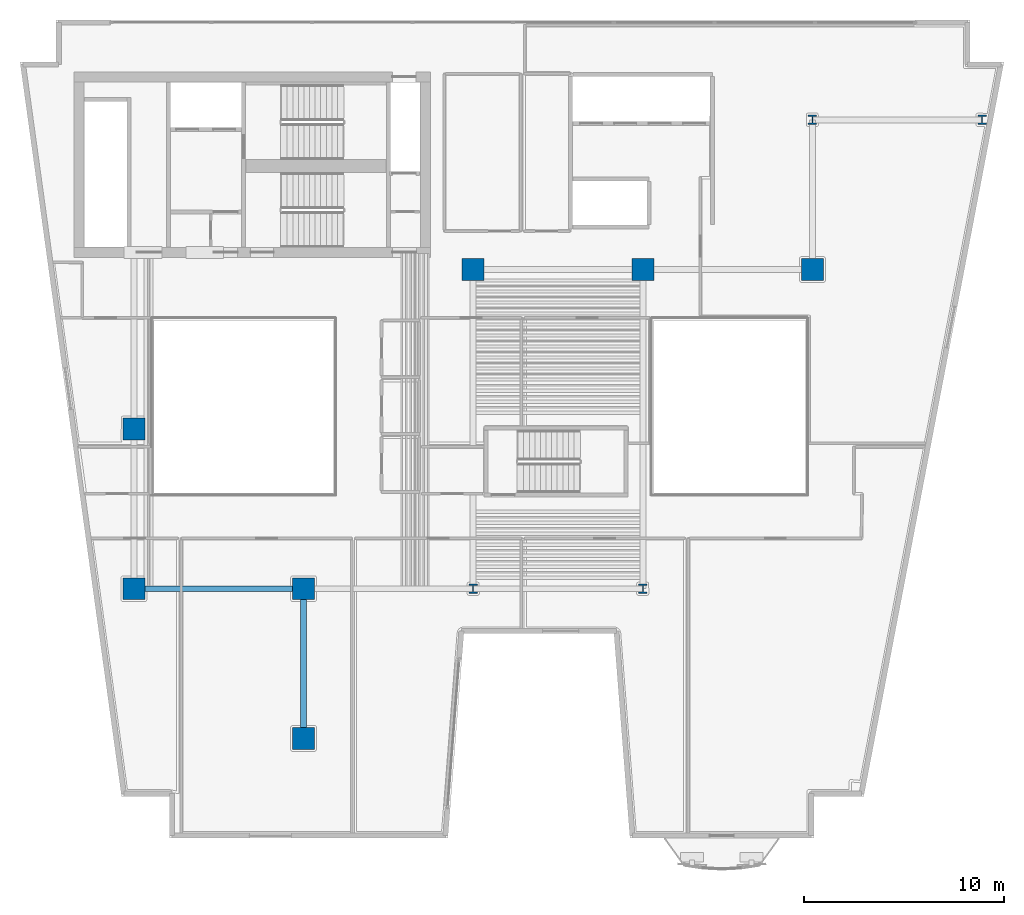
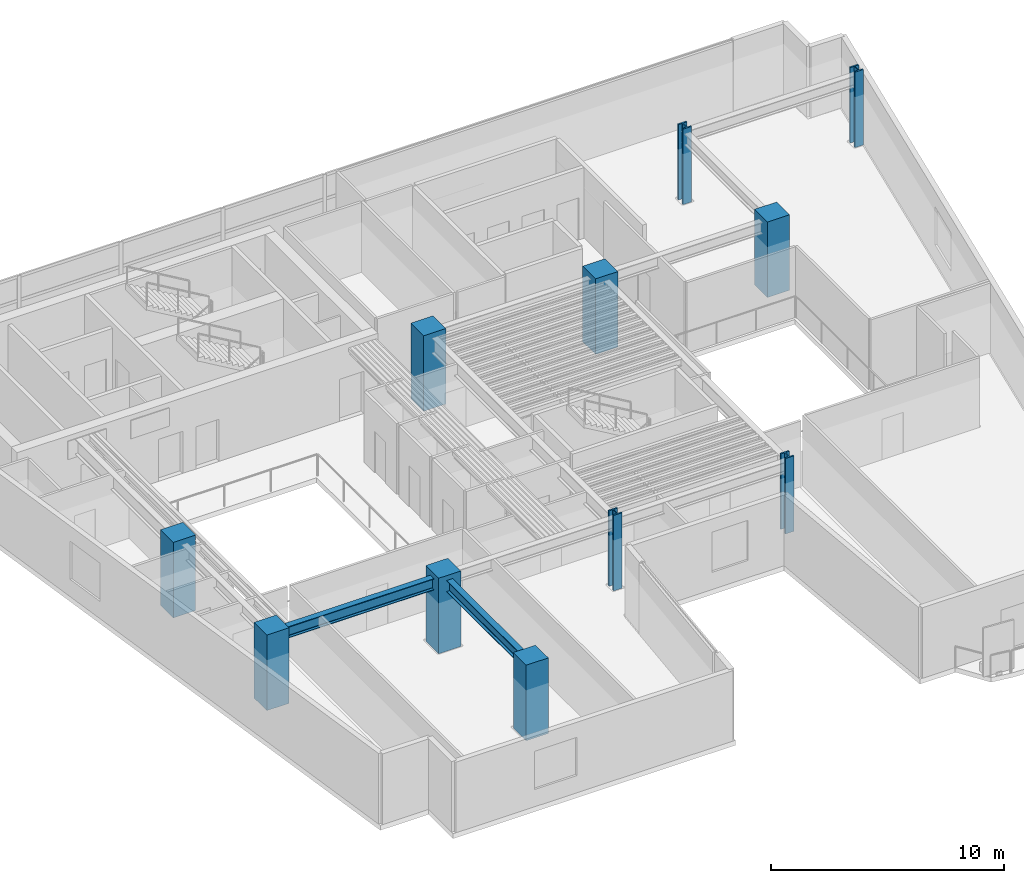
# One storey, part 1 of 12: 11 columns, 2 beams.
"""IFC4 building model written with IfcOpenShell, lengths in metres."""

from ifc_helpers import new_model, si_unit, direction, frame, origin, origin_2d, place, context, subcontext, project, spatial, rectangle, i_section, extrude, material, material_profile, profile_set, type_object, element, save


model = new_model("IFC4")

# Units and contexts
model_context = context("Model", 3, precision=1e-05, world=origin(), true_north=direction((0.0, 1.0)))
body_context = subcontext(model_context, "Body", "Model", "MODEL_VIEW")
ifc_project = project(units=[si_unit("LENGTHUNIT", "METRE"), si_unit("AREAUNIT", "SQUARE_METRE"), si_unit("VOLUMEUNIT", "CUBIC_METRE"), si_unit("PLANEANGLEUNIT", "RADIAN"), si_unit("MASSUNIT", "GRAM", prefix="KILO")], contexts=[model_context])

# Site, building, storey
site_placement = place(None, origin())
site = spatial("IfcSite", under=ifc_project, at=site_placement, CompositionType="ELEMENT")
building_placement = place(site_placement, origin())
building = spatial("IfcBuilding", under=site, at=building_placement, Name="Caeloran Harvest Quay", CompositionType="ELEMENT")
storey_placement = place(building_placement, frame((0.0, 0.0, 146.949951171875)))
storey = spatial("IfcBuildingStorey", under=building, at=storey_placement, Name="L34", CompositionType="ELEMENT", Elevation=146.949951171875)

# Columns
ifc_material_1 = material(Name="Concrete C70/85", Category="concrete")
ifc_material_profile_1 = material_profile(ifc_material_1, rectangle(XDim=1.10009765625, YDim=1.10009765625, at=origin_2d()), Name="RC 1100x1100")
ifc_profile_set_1 = profile_set([ifc_material_profile_1], Name="Concrete C70/85")
column_type_1 = type_object("IfcColumnType", Name="COL-MC-3-RC_1100x1100", PredefinedType="COLUMN", material=ifc_profile_set_1)
for number, where, z_axis, x_axis, name in (
    (1, (8.5, 15.0, 0.0), (0.0, 0.0, 1.0), (1.0, 0.0, 0.0), "L34 Structural Column (8.5, 15.0)"),
    (2, (8.5, 23.0, 0.0), (0.0, 0.0, 1.0), (1.0, 0.0, 0.0), "L34 Structural Column (8.5, 23.0)"),
    (3, (17.0, 7.5, 0.0), (0.0, 0.0, 1.0), (1.0, 0.0, 0.0), "L34 Structural Column (17.0, 7.5)"),
    (4, (17.0, 15.0, 0.0), (0.0, 0.0, 1.0), (1.0, 0.0, 0.0), "L34 Structural Column (17.0, 15.0)"),
    (5, (25.5, 31.0, 0.0), (0.0, 0.0, 1.0), (1.0, 0.0, 0.0), "L34 Structural Column (25.5, 31.0)"),
    (6, (34.0, 31.0, 0.0), (0.0, 0.0, 1.0), (1.0, 0.0, 0.0), "L34 Structural Column (34.0, 31.0)"),
    (7, (42.5, 31.0, 0.0), (0.0, 0.0, 1.0), (1.0, 0.0, 0.0), "L34 Structural Column (42.5, 31.0)"),
):
    element("IfcColumn", number, at=place(storey_placement, frame(where, z_axis=z_axis, x_axis=x_axis)), inside=storey, type_object=column_type_1, Name=name, PredefinedType="COLUMN", context=body_context, shape_type="SweptSolid", body=[
        extrude(rectangle(XDim=1.10009765625, YDim=1.10009765625, at=origin_2d()), origin(), (0.0, 0.0, 1.0), 3.949951171875),
    ])
ifc_material_2 = material(Name="Steel HISTAR 460", Category="steel")
ifc_material_profile_2 = material_profile(ifc_material_2, i_section(OverallWidth=0.424072265625, OverallDepth=0.47412109375, WebThickness=0.047607421875, FlangeThickness=0.076904296875, FilletRadius=0.014892578125, at=origin_2d()), Name="HD 400x634")
ifc_profile_set_2 = profile_set([ifc_material_profile_2], Name="Steel HISTAR 460")
column_type_2 = type_object("IfcColumnType", Name="COL-SC-3-HD_400x634", PredefinedType="COLUMN", material=ifc_profile_set_2)
for number, where, z_axis, x_axis, name in (
    (8, (25.5, 15.0, 0.0), (0.0, 0.0, 1.0), (1.0, 0.0, 0.0), "L34 Structural Column (25.5, 15.0)"),
    (9, (34.0, 15.0, 0.0), (0.0, 0.0, 1.0), (1.0, 0.0, 0.0), "L34 Structural Column (34.0, 15.0)"),
    (10, (42.5, 38.5, 0.0), (0.0, 0.0, 1.0), (1.0, 0.0, 0.0), "L34 Structural Column (42.5, 38.5)"),
    (11, (51.0, 38.5, 0.0), (0.0, 0.0, 1.0), (1.0, 0.0, 0.0), "L34 Structural Column (51.0, 38.5)"),
):
    element("IfcColumn", number, at=place(storey_placement, frame(where, z_axis=z_axis, x_axis=x_axis)), inside=storey, type_object=column_type_2, Name=name, PredefinedType="COLUMN", context=body_context, shape_type="SweptSolid", body=[
        extrude(i_section(OverallWidth=0.424072265625, OverallDepth=0.47412109375, WebThickness=0.047607421875, FlangeThickness=0.076904296875, FilletRadius=0.014892578125, at=origin_2d()), origin(), (0.0, 0.0, 1.0), 3.949951171875),
    ])

# Beams
ifc_material_3 = material(Name="Steel S355J2", Category="steel")
ifc_material_profile_3 = material_profile(ifc_material_3, i_section(OverallWidth=0.300048828125, OverallDepth=0.60009765625, WebThickness=0.015380859375, FlangeThickness=0.030029296875, FilletRadius=0.027099609375, at=origin_2d()), Name="HE 600 B")
ifc_profile_set_3 = profile_set([ifc_material_profile_3], Name="Steel S355J2")
beam_type = type_object("IfcBeamType", Name="BM-PG-3-HE_600_B", PredefinedType="BEAM", material=ifc_profile_set_3)
beam_1_placement = place(storey_placement, frame((8.5, 15.0, 3.39013671875), z_axis=(1.0, 0.0, 0.0), x_axis=(0.0, 1.0, 0.0)))
element("IfcBeam", 12, at=beam_1_placement, inside=storey, type_object=beam_type, Name="L34 Primary East-West Girder Y=15.0", PredefinedType="BEAM", context=body_context, shape_type="SweptSolid", body=[
    extrude(i_section(OverallWidth=0.300048828125, OverallDepth=0.60009765625, WebThickness=0.015380859375, FlangeThickness=0.030029296875, FilletRadius=0.027099609375, at=origin_2d()), origin(), (0.0, 0.0, 1.0), 8.5),
])
beam_2_placement = place(storey_placement, frame((17.0, 7.5, 3.39013671875), z_axis=(0.0, 1.0, 0.0), x_axis=(-1.0, 0.0, 0.0)))
element("IfcBeam", 13, at=beam_2_placement, inside=storey, type_object=beam_type, Name="L34 Primary North-South Girder X=17.0", PredefinedType="BEAM", context=body_context, shape_type="SweptSolid", body=[
    extrude(i_section(OverallWidth=0.300048828125, OverallDepth=0.60009765625, WebThickness=0.015380859375, FlangeThickness=0.030029296875, FilletRadius=0.027099609375, at=origin_2d()), origin(), (0.0, 0.0, 1.0), 7.5),
])

save(model, "model.ifc")
